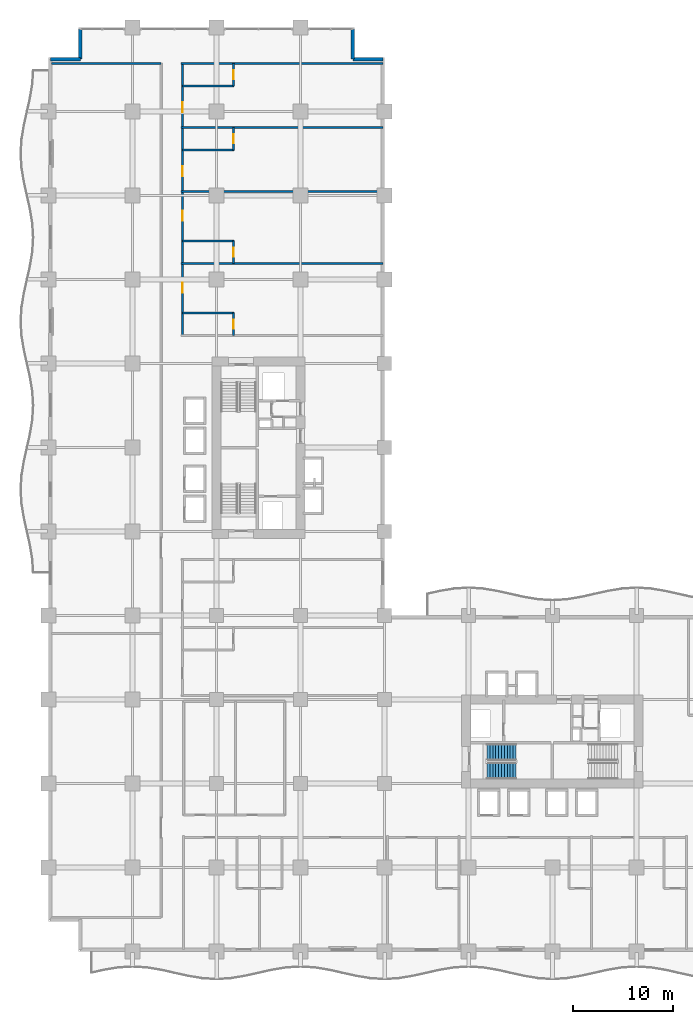
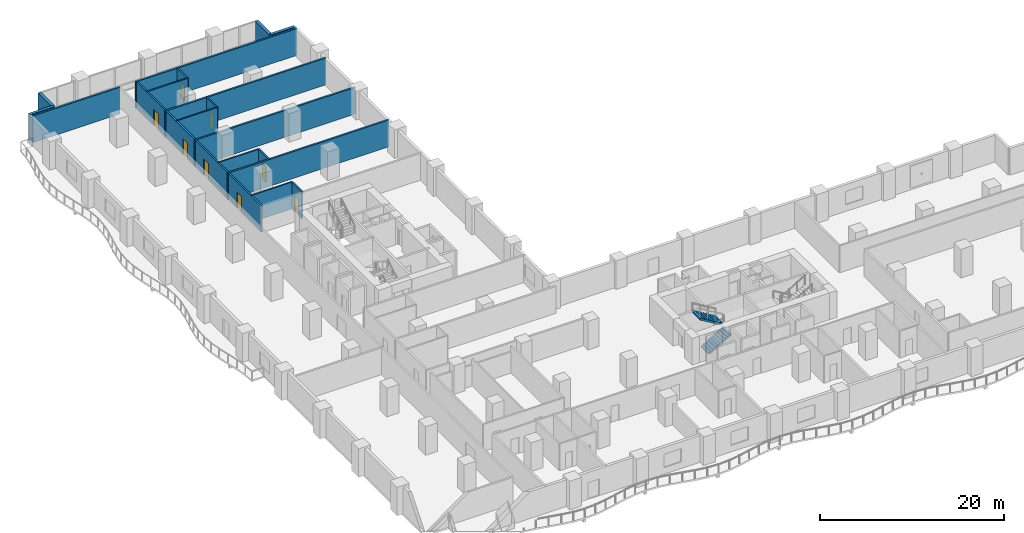
# One storey, part 15 of 22: 18 walls, 8 doors, 2 stair flights, 8 openings, 1 element without a shape of its own.
"""IFC4 building model written with IfcOpenShell, lengths in metres."""

from ifc_helpers import new_model, si_unit, direction, frame, frame_2d, origin, place, context, subcontext, project, spatial, polyline, rectangle, outline, extrude, material, layer, layer_set, type_object, element, fill, aggregate, save


model = new_model("IFC4")

# Units and contexts
model_context = context("Model", 3, precision=1e-05, world=origin(), true_north=direction((0.0, 1.0)))
body_context = subcontext(model_context, "Body", "Model", "MODEL_VIEW")
ifc_project = project(units=[si_unit("LENGTHUNIT", "METRE"), si_unit("AREAUNIT", "SQUARE_METRE"), si_unit("VOLUMEUNIT", "CUBIC_METRE"), si_unit("PLANEANGLEUNIT", "RADIAN"), si_unit("MASSUNIT", "GRAM", prefix="KILO")], contexts=[model_context])

# Site, building, storey
site_placement = place(None, origin())
site = spatial("IfcSite", under=ifc_project, at=site_placement, CompositionType="ELEMENT")
building_placement = place(site_placement, origin())
building = spatial("IfcBuilding", under=site, at=building_placement, Name="Koriwani Terraces Tower", CompositionType="ELEMENT")
storey_placement = place(building_placement, frame((0.0, 0.0, 62.39990234375)))
storey = spatial("IfcBuildingStorey", under=building, at=storey_placement, Name="L14", CompositionType="ELEMENT", Elevation=62.39990234375)

# Wall, openings, doors
ifc_material_1 = material(Name="Autoclaved Cellular Concrete Blockwork", Category="masonry")
ifc_layer_1 = layer(ifc_material_1, 0.199951171875, Name="Autoclaved Cellular Concrete Blockwork")
ifc_layer_set_1 = layer_set([ifc_layer_1], Name="Autoclaved Cellular Concrete Blockwork")
wall_type_1 = type_object("IfcWallType", Name="WALL_CORRIDOR_200", PredefinedType="PARTITIONING", material=ifc_layer_set_1)
wall_1_placement = place(storey_placement, frame((13.39990234375, 61.60009765625, 0.0), z_axis=(0.0, 0.0, 1.0), x_axis=(0.0, 1.0, 0.0)))
wall_1 = element("IfcWall", 1, at=wall_1_placement, inside=storey, type_object=wall_type_1, Name="L14 Interior Wall WCOR-L14-NE-0", PredefinedType="PARTITIONING", context=body_context, shape_type="SweptSolid", body=[
    extrude(rectangle(XDim=27.199951171875, YDim=0.199951171875, at=frame_2d((13.60009765625, 0.0))), origin(), (0.0, 0.0, 1.0), 3.550048828125),
])
opening_1_placement = place(wall_1_placement, frame((4.264892578125, 0.0, 0.0)))
opening_1 = element("IfcOpeningElement", 2, at=opening_1_placement, cuts=wall_1, Name="Opening D-05", PredefinedType="OPENING", context=body_context, shape_type="SweptSolid", body=[
    extrude(rectangle(XDim=1.0, YDim=2.14990234375, at=frame_2d((0.5, 1.074951171875))), frame((0.0, 0.10986328125, 0.0), z_axis=(0.0, -1.0, 0.0), x_axis=(1.0, 0.0, 0.0)), (0.0, 0.0, 1.0), 0.219970703125),
])
opening_2_placement = place(wall_1_placement, frame((11.465087890625, 0.0, 0.0)))
opening_2 = element("IfcOpeningElement", 3, at=opening_2_placement, cuts=wall_1, Name="Opening D-05", PredefinedType="OPENING", context=body_context, shape_type="SweptSolid", body=[
    extrude(rectangle(XDim=1.0, YDim=2.14990234375, at=frame_2d((0.5, 1.074951171875))), frame((0.0, 0.10986328125, 0.0), z_axis=(0.0, -1.0, 0.0), x_axis=(1.0, 0.0, 0.0)), (0.0, 0.0, 1.0), 0.219970703125),
])
opening_3_placement = place(wall_1_placement, frame((15.93505859375, 0.0, 0.0)))
opening_3 = element("IfcOpeningElement", 4, at=opening_3_placement, cuts=wall_1, Name="Opening D-05", PredefinedType="OPENING", context=body_context, shape_type="SweptSolid", body=[
    extrude(rectangle(XDim=1.0, YDim=2.14990234375, at=frame_2d((0.5, 1.074951171875))), frame((0.0, 0.10986328125, 0.0), z_axis=(0.0, -1.0, 0.0), x_axis=(1.0, 0.0, 0.0)), (0.0, 0.0, 1.0), 0.219970703125),
])
opening_4_placement = place(wall_1_placement, frame((22.3349609375, 0.0, 0.0)))
opening_4 = element("IfcOpeningElement", 5, at=opening_4_placement, cuts=wall_1, Name="Opening D-05", PredefinedType="OPENING", context=body_context, shape_type="SweptSolid", body=[
    extrude(rectangle(XDim=1.0, YDim=2.14990234375, at=frame_2d((0.5, 1.074951171875))), frame((0.0, 0.10986328125, 0.0), z_axis=(0.0, -1.0, 0.0), x_axis=(1.0, 0.0, 0.0)), (0.0, 0.0, 1.0), 0.219970703125),
])
ifc_material_2 = material(Name="Architectural Oak Fire Door", Category="wood")
door_type_1 = type_object("IfcDoorType", Name="DOOR_SUITE_ENTRY_1000X2150", OperationType="NOTDEFINED", PredefinedType="DOOR", material=ifc_material_2)
door_1_placement = place(opening_1_placement, origin())
door_1 = element("IfcDoor", 6, at=door_1_placement, inside=storey, type_object=door_type_1, Name="Luxury Hotel Suite 14NE1 Entrance Door", OperationType="SINGLE_SWING_RIGHT", OverallHeight=2.14990234375, OverallWidth=1.0, PredefinedType="DOOR", context=body_context, shape_type="SweptSolid", body=[
    extrude(rectangle(XDim=1.0, YDim=2.14990234375, at=frame_2d((0.5, 1.074951171875))), frame((0.0, 0.02490234375, 0.0), z_axis=(0.0, -1.0, 0.0), x_axis=(1.0, 0.0, 0.0)), (0.0, 0.0, 1.0), 0.050048828125),
])
fill(opening_1, door_1)
door_2_placement = place(opening_2_placement, origin())
door_2 = element("IfcDoor", 7, at=door_2_placement, inside=storey, type_object=door_type_1, Name="Luxury Hotel Suite 14NE2 Entrance Door", OperationType="SINGLE_SWING_RIGHT", OverallHeight=2.14990234375, OverallWidth=1.0, PredefinedType="DOOR", context=body_context, shape_type="SweptSolid", body=[
    extrude(rectangle(XDim=1.0, YDim=2.14990234375, at=frame_2d((0.5, 1.074951171875))), frame((0.0, 0.02490234375, 0.0), z_axis=(0.0, -1.0, 0.0), x_axis=(1.0, 0.0, 0.0)), (0.0, 0.0, 1.0), 0.050048828125),
])
fill(opening_2, door_2)
door_3_placement = place(opening_3_placement, origin())
door_3 = element("IfcDoor", 8, at=door_3_placement, inside=storey, type_object=door_type_1, Name="Luxury Hotel Suite 14NE3 Entrance Door", OperationType="SINGLE_SWING_RIGHT", OverallHeight=2.14990234375, OverallWidth=1.0, PredefinedType="DOOR", context=body_context, shape_type="SweptSolid", body=[
    extrude(rectangle(XDim=1.0, YDim=2.14990234375, at=frame_2d((0.5, 1.074951171875))), frame((0.0, 0.02490234375, 0.0), z_axis=(0.0, -1.0, 0.0), x_axis=(1.0, 0.0, 0.0)), (0.0, 0.0, 1.0), 0.050048828125),
])
fill(opening_3, door_3)
door_4_placement = place(opening_4_placement, origin())
door_4 = element("IfcDoor", 9, at=door_4_placement, inside=storey, type_object=door_type_1, Name="Luxury Hotel Suite 14NE4 Entrance Door", OperationType="SINGLE_SWING_RIGHT", OverallHeight=2.14990234375, OverallWidth=1.0, PredefinedType="DOOR", context=body_context, shape_type="SweptSolid", body=[
    extrude(rectangle(XDim=1.0, YDim=2.14990234375, at=frame_2d((0.5, 1.074951171875))), frame((0.0, 0.02490234375, 0.0), z_axis=(0.0, -1.0, 0.0), x_axis=(1.0, 0.0, 0.0)), (0.0, 0.0, 1.0), 0.050048828125),
])
fill(opening_4, door_4)

# Walls
ifc_layer_2 = layer(ifc_material_1, 0.219970703125, Name="Autoclaved Cellular Concrete Blockwork")
ifc_layer_set_2 = layer_set([ifc_layer_2], Name="Autoclaved Cellular Concrete Blockwork")
wall_type_2 = type_object("IfcWallType", Name="WALL_DEMISING_220", PredefinedType="PARTITIONING", material=ifc_layer_set_2)
wall_2_placement = place(storey_placement, frame((0.300048828125, 88.800048828125, 0.0), z_axis=(0.0, 0.0, 1.0), x_axis=(1.0, 0.0, 0.0)))
element("IfcWall", 10, at=wall_2_placement, inside=storey, type_object=wall_type_2, Name="L14 Interior Wall WZ1NWCLN-L14", PredefinedType="PARTITIONING", context=body_context, shape_type="SweptSolid", body=[
    extrude(rectangle(XDim=10.949951171875, YDim=0.219970703125, at=frame_2d((5.47509765625, 0.0))), origin(), (0.0, 0.0, 1.0), 3.550048828125),
])
for number, where, z_axis, x_axis, name in (
    (11, (13.25, 68.800048828125, 0.0), (0.0, 0.0, 1.0), (1.0, 0.0, 0.0), "L14 Interior Wall WDEM-L14-NE-1"),
    (12, (13.25, 76.0, 0.0), (0.0, 0.0, 1.0), (1.0, 0.0, 0.0), "L14 Interior Wall WDEM-L14-NE-2"),
    (13, (13.25, 82.39990234375, 0.0), (0.0, 0.0, 1.0), (1.0, 0.0, 0.0), "L14 Interior Wall WDEM-L14-NE-3"),
    (14, (13.25, 88.800048828125, 0.0), (0.0, 0.0, 1.0), (1.0, 0.0, 0.0), "L14 Interior Wall WDEME-L14-NE"),
):
    element("IfcWall", number, at=place(storey_placement, frame(where, z_axis=z_axis, x_axis=x_axis)), inside=storey, type_object=wall_type_2, Name=name, PredefinedType="PARTITIONING", context=body_context, shape_type="SweptSolid", body=[
        extrude(rectangle(XDim=20.179931640625, YDim=0.219970703125, at=frame_2d((10.08984375, 0.0))), origin(), (0.0, 0.0, 1.0), 3.550048828125),
    ])
ifc_material_3 = material(Name="Concrete C50/60", Category="concrete")
ifc_layer_3 = layer(ifc_material_3, 0.35009765625, Name="Concrete C50/60")
ifc_layer_set_3 = layer_set([ifc_layer_3], Name="Concrete C50/60")
wall_type_3 = type_object("IfcWallType", Name="WALL_EXT_BRUTALIST_350", PredefinedType="STANDARD", material=ifc_layer_set_3)
for number, where, z_axis, x_axis, name in (
    (15, (0.175048828125, 89.22509765625, 0.0), (0.0, 0.0, 1.0), (1.0, 0.0, 0.0), "L14 Fair-Faced Brutalist Exterior Wall (N3)"),
    (16, (3.175048828125, 89.22509765625, 0.0), (0.0, 0.0, 1.0), (0.0, 1.0, 0.0), "L14 Fair-Faced Brutalist Exterior Wall (N4)"),
    (17, (30.425048828125, 92.22509765625, 0.0), (0.0, 0.0, 1.0), (0.0, -1.0, 0.0), "L14 Fair-Faced Brutalist Exterior Wall (N6)"),
    (18, (30.425048828125, 89.22509765625, 0.0), (0.0, 0.0, 1.0), (1.0, 0.0, 0.0), "L14 Fair-Faced Brutalist Exterior Wall (N7)"),
):
    element("IfcWall", number, at=place(storey_placement, frame(where, z_axis=z_axis, x_axis=x_axis)), inside=storey, type_object=wall_type_3, Name=name, PredefinedType="STANDARD", context=body_context, shape_type="SweptSolid", body=[
        extrude(rectangle(XDim=3.0, YDim=0.35009765625, at=frame_2d((1.5, 0.0))), origin(), (0.0, 0.0, 1.0), 3.550048828125),
    ])

# Wall, opening, door
ifc_material_4 = material(Name="Fire-Rated Acoustic Gypsum Partition", Category="masonry")
ifc_layer_4 = layer(ifc_material_4, 0.179931640625, Name="Fire-Rated Acoustic Gypsum Partition")
ifc_layer_set_4 = layer_set([ifc_layer_4], Name="Fire-Rated Acoustic Gypsum Partition")
wall_type_4 = type_object("IfcWallType", Name="WALL_PLUMBING_180", PredefinedType="PLUMBINGWALL", material=ifc_layer_set_4)
wall_3_placement = place(storey_placement, frame((18.5, 61.60009765625, 0.0), z_axis=(0.0, 0.0, 1.0), x_axis=(0.0, 1.0, 0.0)))
wall_3 = element("IfcWall", 19, at=wall_3_placement, inside=storey, type_object=wall_type_4, Name="L14 Interior Wall WBTH1-L14-NE-0", PredefinedType="PLUMBINGWALL", context=body_context, shape_type="SweptSolid", body=[
    extrude(rectangle(XDim=2.25, YDim=0.179931640625, at=frame_2d((1.125, 0.0))), origin(), (0.0, 0.0, 1.0), 3.550048828125),
])
opening_5_placement = place(wall_3_placement, frame((0.675048828125, 0.0, 0.0)))
opening_5 = element("IfcOpeningElement", 20, at=opening_5_placement, cuts=wall_3, Name="Opening D-07", PredefinedType="OPENING", context=body_context, shape_type="SweptSolid", body=[
    extrude(rectangle(XDim=0.89990234375, YDim=2.10009765625, at=frame_2d((0.449951171875, 1.050048828125))), frame((0.0, 0.10009765625, 0.0), z_axis=(0.0, -1.0, 0.0), x_axis=(1.0, 0.0, 0.0)), (0.0, 0.0, 1.0), 0.199951171875),
])
door_type_2 = type_object("IfcDoorType", Name="DOOR_BATH_INT_900X2100", OperationType="NOTDEFINED", PredefinedType="DOOR", material=ifc_material_2)
door_5_placement = place(opening_5_placement, origin())
door_5 = element("IfcDoor", 21, at=door_5_placement, inside=storey, type_object=door_type_2, Name="En-Suite Bathroom 14NE1 Door", OperationType="SINGLE_SWING_LEFT", OverallHeight=2.10009765625, OverallWidth=0.89990234375, PredefinedType="DOOR", context=body_context, shape_type="SweptSolid", body=[
    extrude(rectangle(XDim=0.89990234375, YDim=2.10009765625, at=frame_2d((0.449951171875, 1.050048828125))), frame((0.0, 0.02490234375, 0.0), z_axis=(0.0, -1.0, 0.0), x_axis=(1.0, 0.0, 0.0)), (0.0, 0.0, 1.0), 0.050048828125),
])
fill(opening_5, door_5)

# Wall
wall_4_placement = place(storey_placement, frame((13.39990234375, 63.85009765625, 0.0), z_axis=(0.0, 0.0, 1.0), x_axis=(1.0, 0.0, 0.0)))
element("IfcWall", 22, at=wall_4_placement, inside=storey, type_object=wall_type_4, Name="L14 Interior Wall WBTH2-L14-NE-0", PredefinedType="PLUMBINGWALL", context=body_context, shape_type="SweptSolid", body=[
    extrude(rectangle(XDim=5.10009765625, YDim=0.179931640625, at=frame_2d((2.550048828125, 0.0))), origin(), (0.0, 0.0, 1.0), 3.550048828125),
])

# Wall, opening, door
wall_5_placement = place(storey_placement, frame((18.5, 68.800048828125, 0.0), z_axis=(0.0, 0.0, 1.0), x_axis=(0.0, 1.0, 0.0)))
wall_5 = element("IfcWall", 23, at=wall_5_placement, inside=storey, type_object=wall_type_4, Name="L14 Interior Wall WBTH1-L14-NE-1", PredefinedType="PLUMBINGWALL", context=body_context, shape_type="SweptSolid", body=[
    extrude(rectangle(XDim=2.25, YDim=0.179931640625, at=frame_2d((1.125, 0.0))), origin(), (0.0, 0.0, 1.0), 3.550048828125),
])
opening_6_placement = place(wall_5_placement, frame((0.675048828125, 0.0, 0.0)))
opening_6 = element("IfcOpeningElement", 24, at=opening_6_placement, cuts=wall_5, Name="Opening D-07", PredefinedType="OPENING", context=body_context, shape_type="SweptSolid", body=[
    extrude(rectangle(XDim=0.89990234375, YDim=2.10009765625, at=frame_2d((0.449951171875, 1.050048828125))), frame((0.0, 0.10009765625, 0.0), z_axis=(0.0, -1.0, 0.0), x_axis=(1.0, 0.0, 0.0)), (0.0, 0.0, 1.0), 0.199951171875),
])
door_6_placement = place(opening_6_placement, origin())
door_6 = element("IfcDoor", 25, at=door_6_placement, inside=storey, type_object=door_type_2, Name="En-Suite Bathroom 14NE2 Door", OperationType="SINGLE_SWING_LEFT", OverallHeight=2.10009765625, OverallWidth=0.89990234375, PredefinedType="DOOR", context=body_context, shape_type="SweptSolid", body=[
    extrude(rectangle(XDim=0.89990234375, YDim=2.10009765625, at=frame_2d((0.449951171875, 1.050048828125))), frame((0.0, 0.02490234375, 0.0), z_axis=(0.0, -1.0, 0.0), x_axis=(1.0, 0.0, 0.0)), (0.0, 0.0, 1.0), 0.050048828125),
])
fill(opening_6, door_6)

# Wall
wall_6_placement = place(storey_placement, frame((13.39990234375, 71.050048828125, 0.0), z_axis=(0.0, 0.0, 1.0), x_axis=(1.0, 0.0, 0.0)))
element("IfcWall", 26, at=wall_6_placement, inside=storey, type_object=wall_type_4, Name="L14 Interior Wall WBTH2-L14-NE-1", PredefinedType="PLUMBINGWALL", context=body_context, shape_type="SweptSolid", body=[
    extrude(rectangle(XDim=5.10009765625, YDim=0.179931640625, at=frame_2d((2.550048828125, 0.0))), origin(), (0.0, 0.0, 1.0), 3.550048828125),
])

# Wall, opening, door
wall_7_placement = place(storey_placement, frame((18.5, 80.14990234375, 0.0), z_axis=(0.0, 0.0, 1.0), x_axis=(0.0, 1.0, 0.0)))
wall_7 = element("IfcWall", 27, at=wall_7_placement, inside=storey, type_object=wall_type_4, Name="L14 Interior Wall WBTH1-L14-NE-2", PredefinedType="PLUMBINGWALL", context=body_context, shape_type="SweptSolid", body=[
    extrude(rectangle(XDim=2.25, YDim=0.179931640625, at=frame_2d((1.125, 0.0))), origin(), (0.0, 0.0, 1.0), 3.550048828125),
])
opening_7_placement = place(wall_7_placement, frame((0.675048828125, 0.0, 0.0)))
opening_7 = element("IfcOpeningElement", 28, at=opening_7_placement, cuts=wall_7, Name="Opening D-07", PredefinedType="OPENING", context=body_context, shape_type="SweptSolid", body=[
    extrude(rectangle(XDim=0.89990234375, YDim=2.10009765625, at=frame_2d((0.449951171875, 1.050048828125))), frame((0.0, 0.10009765625, 0.0), z_axis=(0.0, -1.0, 0.0), x_axis=(1.0, 0.0, 0.0)), (0.0, 0.0, 1.0), 0.199951171875),
])
door_7_placement = place(opening_7_placement, origin())
door_7 = element("IfcDoor", 29, at=door_7_placement, inside=storey, type_object=door_type_2, Name="En-Suite Bathroom 14NE3 Door", OperationType="SINGLE_SWING_LEFT", OverallHeight=2.10009765625, OverallWidth=0.89990234375, PredefinedType="DOOR", context=body_context, shape_type="SweptSolid", body=[
    extrude(rectangle(XDim=0.89990234375, YDim=2.10009765625, at=frame_2d((0.449951171875, 1.050048828125))), frame((0.0, 0.02490234375, 0.0), z_axis=(0.0, -1.0, 0.0), x_axis=(1.0, 0.0, 0.0)), (0.0, 0.0, 1.0), 0.050048828125),
])
fill(opening_7, door_7)

# Wall
wall_8_placement = place(storey_placement, frame((13.39990234375, 80.14990234375, 0.0), z_axis=(0.0, 0.0, 1.0), x_axis=(1.0, 0.0, 0.0)))
element("IfcWall", 30, at=wall_8_placement, inside=storey, type_object=wall_type_4, Name="L14 Interior Wall WBTH2-L14-NE-2", PredefinedType="PLUMBINGWALL", context=body_context, shape_type="SweptSolid", body=[
    extrude(rectangle(XDim=5.10009765625, YDim=0.179931640625, at=frame_2d((2.550048828125, 0.0))), origin(), (0.0, 0.0, 1.0), 3.550048828125),
])

# Wall, opening, door
wall_9_placement = place(storey_placement, frame((18.5, 86.550048828125, 0.0), z_axis=(0.0, 0.0, 1.0), x_axis=(0.0, 1.0, 0.0)))
wall_9 = element("IfcWall", 31, at=wall_9_placement, inside=storey, type_object=wall_type_4, Name="L14 Interior Wall WBTH1-L14-NE-3", PredefinedType="PLUMBINGWALL", context=body_context, shape_type="SweptSolid", body=[
    extrude(rectangle(XDim=2.25, YDim=0.179931640625, at=frame_2d((1.125, 0.0))), origin(), (0.0, 0.0, 1.0), 3.550048828125),
])
opening_8_placement = place(wall_9_placement, frame((0.675048828125, 0.0, 0.0)))
opening_8 = element("IfcOpeningElement", 32, at=opening_8_placement, cuts=wall_9, Name="Opening D-07", PredefinedType="OPENING", context=body_context, shape_type="SweptSolid", body=[
    extrude(rectangle(XDim=0.89990234375, YDim=2.10009765625, at=frame_2d((0.449951171875, 1.050048828125))), frame((0.0, 0.10009765625, 0.0), z_axis=(0.0, -1.0, 0.0), x_axis=(1.0, 0.0, 0.0)), (0.0, 0.0, 1.0), 0.199951171875),
])
door_8_placement = place(opening_8_placement, origin())
door_8 = element("IfcDoor", 33, at=door_8_placement, inside=storey, type_object=door_type_2, Name="En-Suite Bathroom 14NE4 Door", OperationType="SINGLE_SWING_LEFT", OverallHeight=2.10009765625, OverallWidth=0.89990234375, PredefinedType="DOOR", context=body_context, shape_type="SweptSolid", body=[
    extrude(rectangle(XDim=0.89990234375, YDim=2.10009765625, at=frame_2d((0.449951171875, 1.050048828125))), frame((0.0, 0.02490234375, 0.0), z_axis=(0.0, -1.0, 0.0), x_axis=(1.0, 0.0, 0.0)), (0.0, 0.0, 1.0), 0.050048828125),
])
fill(opening_8, door_8)

# Wall
wall_10_placement = place(storey_placement, frame((13.39990234375, 86.550048828125, 0.0), z_axis=(0.0, 0.0, 1.0), x_axis=(1.0, 0.0, 0.0)))
element("IfcWall", 34, at=wall_10_placement, inside=storey, type_object=wall_type_4, Name="L14 Interior Wall WBTH2-L14-NE-3", PredefinedType="PLUMBINGWALL", context=body_context, shape_type="SweptSolid", body=[
    extrude(rectangle(XDim=5.10009765625, YDim=0.179931640625, at=frame_2d((2.550048828125, 0.0))), origin(), (0.0, 0.0, 1.0), 3.550048828125),
])

# Stair, stair flights
ifc_material_5 = material(Name="Concrete C40/50", Category="concrete")
stair_type = type_object("IfcStairType", Name="STAIR_CORE_DOGLEG_1650", PredefinedType="TWO_STRAIGHT_RUN_STAIR", material=ifc_material_5)
stair_placement = place(storey_placement, origin())
stair = element("IfcStair", 35, at=stair_placement, inside=storey, type_object=stair_type, Name="L14 East Core Exit Stair 1", PredefinedType="HALF_TURN_STAIR")
stair_flight_type = type_object("IfcStairFlightType", Name="STAIR_FLIGHT_RC_1650", PredefinedType="STRAIGHT", material=ifc_material_5)
stair_flight_1_placement = place(storey_placement, frame((43.85009765625, 18.074951171875, 0.0), z_axis=(0.0, 0.0, 1.0), x_axis=(1.0, 0.0, 0.0)))
stair_flight_1 = element("IfcStairFlight", 36, at=stair_flight_1_placement, type_object=stair_flight_type, Name="ST-E1 flight 1", NumberOfRisers=11, NumberOfTreads=10, PredefinedType="STRAIGHT", RiserHeight=0.172727273, TreadLength=0.29, context=body_context, shape_type="SweptSolid", body=[
    extrude(outline(polyline([(0.0, 0.0), (0.0, 0.172607421875), (0.2900390625, 0.172607421875), (0.2900390625, 0.345458984375), (0.580078125, 0.345458984375), (0.580078125, 0.51806640625), (0.8701171875, 0.51806640625), (0.8701171875, 0.69091796875), (1.159912109375, 0.69091796875), (1.159912109375, 0.863525390625), (1.449951171875, 0.863525390625), (1.449951171875, 1.036376953125), (1.739990234375, 1.036376953125), (1.739990234375, 1.208984375), (2.030029296875, 1.208984375), (2.030029296875, 1.3818359375), (2.320068359375, 1.3818359375), (2.320068359375, 1.554443359375), (2.610107421875, 1.554443359375), (2.610107421875, 1.727294921875), (2.89990234375, 1.727294921875), (2.89990234375, 1.89990234375), (2.89990234375, 1.517822265625), (0.3515625, 0.0), (0.0, 0.0)])), frame((0.0, 0.824951171875, 0.0), z_axis=(0.0, -1.0, 0.0), x_axis=(1.0, 0.0, 0.0)), (0.0, 0.0, 1.0), 1.64990234375),
])
stair_flight_2_placement = place(storey_placement, frame((46.75, 19.925048828125, 1.900146484375), z_axis=(0.0, 0.0, 1.0), x_axis=(-1.0, 0.0, 0.0)))
stair_flight_2 = element("IfcStairFlight", 37, at=stair_flight_2_placement, type_object=stair_flight_type, Name="ST-E1 flight 2", NumberOfRisers=11, NumberOfTreads=10, PredefinedType="STRAIGHT", RiserHeight=0.172727273, TreadLength=0.29, context=body_context, shape_type="SweptSolid", body=[
    extrude(outline(polyline([(0.0, 0.0), (0.0, 0.172607421875), (0.2900390625, 0.172607421875), (0.2900390625, 0.345458984375), (0.580078125, 0.345458984375), (0.580078125, 0.51806640625), (0.8701171875, 0.51806640625), (0.8701171875, 0.69091796875), (1.159912109375, 0.69091796875), (1.159912109375, 0.863525390625), (1.449951171875, 0.863525390625), (1.449951171875, 1.036376953125), (1.739990234375, 1.036376953125), (1.739990234375, 1.208984375), (2.030029296875, 1.208984375), (2.030029296875, 1.3818359375), (2.320068359375, 1.3818359375), (2.320068359375, 1.554443359375), (2.610107421875, 1.554443359375), (2.610107421875, 1.727294921875), (2.89990234375, 1.727294921875), (2.89990234375, 1.89990234375), (2.89990234375, 1.517822265625), (0.3515625, 0.0), (0.0, 0.0)])), frame((0.0, 0.824951171875, 0.0), z_axis=(0.0, -1.0, 0.0), x_axis=(1.0, 0.0, 0.0)), (0.0, 0.0, 1.0), 1.64990234375),
])
aggregate(stair, [stair_flight_1, stair_flight_2])

save(model, "model.ifc")
